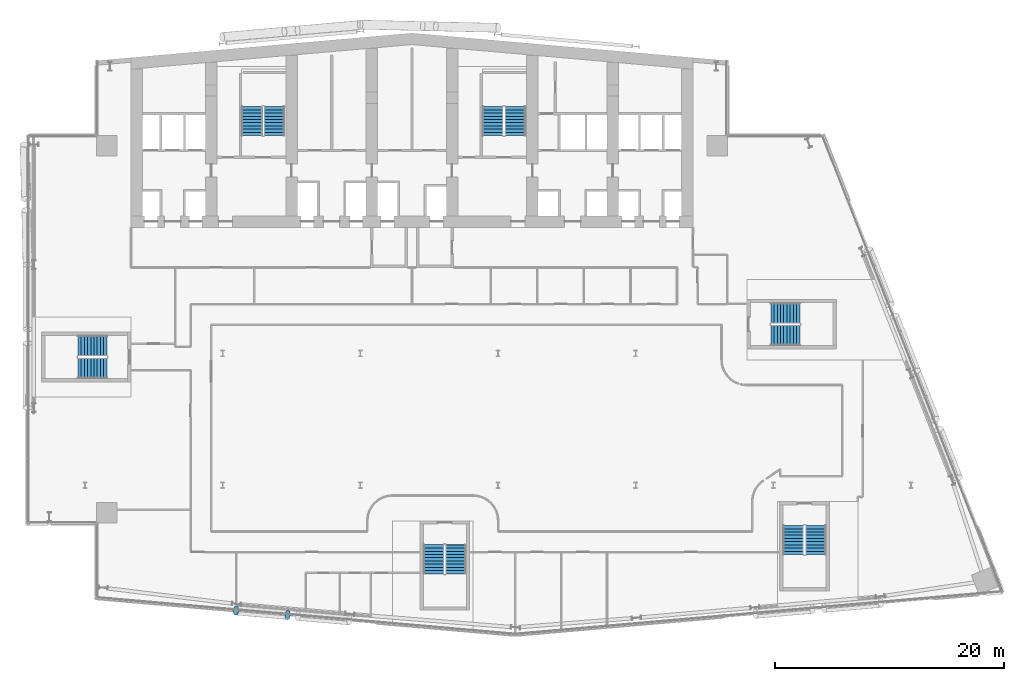
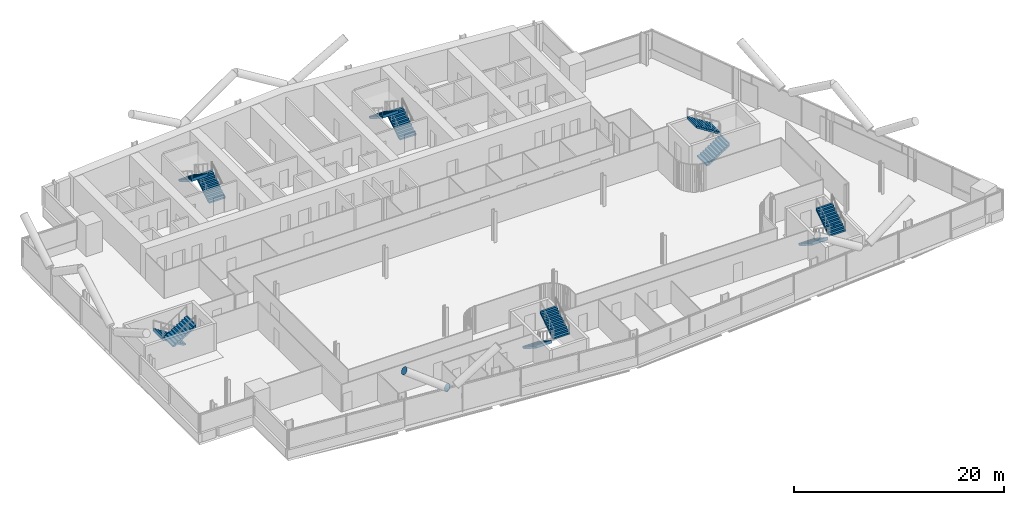
# One storey, part 24 of 31: 12 stair flights, 2 discrete accessories, 6 elements without a shape of their own.
"""IFC4 building model written with IfcOpenShell, lengths in metres."""

from ifc_helpers import new_model, si_unit, direction, frame, origin, origin_2d, place, context, subcontext, project, spatial, polyline, circle, outline, extrude, material, material_profile, profile_set, type_object, element, aggregate, save


model = new_model("IFC4")

# Units and contexts
model_context = context("Model", 3, precision=1e-05, world=origin(), true_north=direction((0.0, 1.0)))
body_context = subcontext(model_context, "Body", "Model", "MODEL_VIEW")
ifc_project = project(units=[si_unit("LENGTHUNIT", "METRE"), si_unit("AREAUNIT", "SQUARE_METRE"), si_unit("VOLUMEUNIT", "CUBIC_METRE"), si_unit("PLANEANGLEUNIT", "RADIAN"), si_unit("MASSUNIT", "GRAM", prefix="KILO")], contexts=[model_context])

# Site, building, storey
site_placement = place(None, origin())
site = spatial("IfcSite", under=ifc_project, at=site_placement, CompositionType="ELEMENT")
building_placement = place(site_placement, origin())
building = spatial("IfcBuilding", under=site, at=building_placement, Name="Wharfspan Tower", CompositionType="ELEMENT")
storey_placement = place(building_placement, frame((0.0, 0.0, 103.899902)))
storey = spatial("IfcBuildingStorey", under=building, at=storey_placement, Name="L23", CompositionType="ELEMENT", Elevation=103.899902)

# Stair, stair flights
ifc_material_1 = material(Name="Concrete C40/50", Category="concrete")
stair_type = type_object("IfcStairType", Name="Half-turn stair 20 risers 180 mm", PredefinedType="HALF_TURN_STAIR", material=ifc_material_1)
stair_1_placement = place(storey_placement, origin())
stair_1 = element("IfcStair", 1, at=stair_1_placement, inside=storey, type_object=stair_type, Name="L23 stair ST1", PredefinedType="HALF_TURN_STAIR")
stair_flight_type = type_object("IfcStairFlightType", Name="Stair flight 20 risers 180 mm", PredefinedType="STRAIGHT", material=ifc_material_1)
stair_flight_1_placement = place(storey_placement, frame((28.5, 42.0, 0.0), z_axis=(0.0, 0.0, 1.0), x_axis=(0.0, 1.0, 0.0)))
stair_flight_1 = element("IfcStairFlight", 2, at=stair_flight_1_placement, type_object=stair_flight_type, Name="ST1 flight 1", NumberOfRisers=10, NumberOfTreads=9, PredefinedType="STRAIGHT", RiserHeight=0.18, TreadLength=0.28, context=body_context, shape_type="SweptSolid", body=[
    extrude(outline(polyline([(-0.011963, 0.0), (-0.011963, 0.179932), (0.0, 0.179932), (0.280029, 0.179932), (0.280029, 0.360107), (0.560059, 0.360107), (0.560059, 0.540039), (0.840088, 0.540039), (0.840088, 0.719971), (1.120117, 0.719971), (1.120117, 0.899902), (1.399902, 0.899902), (1.399902, 1.080078), (1.679932, 1.080078), (1.679932, 1.26001), (1.959961, 1.26001), (1.959961, 1.439941), (2.23999, 1.439941), (2.23999, 1.620117), (2.52002, 1.620117), (2.531982, 1.800049), (2.531982, 1.441895), (0.2771, 0.0), (-0.011963, 0.0)])), frame((0.0, 0.899902, 0.0), z_axis=(0.0, -1.0, 0.0), x_axis=(1.0, 0.0, 0.0)), (0.0, 0.0, 1.0), 0.899414),
    extrude(outline(polyline([(-0.011963, 0.0), (-0.011963, 0.179932), (0.0, 0.179932), (0.280029, 0.179932), (0.280029, 0.360107), (0.560059, 0.360107), (0.560059, 0.540039), (0.840088, 0.540039), (0.840088, 0.719971), (1.120117, 0.719971), (1.120117, 0.899902), (1.399902, 0.899902), (1.399902, 1.080078), (1.679932, 1.080078), (1.679932, 1.26001), (1.959961, 1.26001), (1.959961, 1.439941), (2.23999, 1.439941), (2.23999, 1.620117), (2.52002, 1.620117), (2.531982, 1.800049), (2.531982, 1.441895), (0.2771, 0.0), (-0.011963, 0.0)])), frame((0.0, -0.000488, 0.0), z_axis=(0.0, -1.0, 0.0), x_axis=(1.0, 0.0, 0.0)), (0.0, 0.0, 1.0), 0.899414),
])
stair_flight_2_placement = place(storey_placement, frame((26.550049, 44.52002, 1.800049), z_axis=(0.0, 0.0, 1.0), x_axis=(0.0, -1.0, 0.0)))
stair_flight_2 = element("IfcStairFlight", 3, at=stair_flight_2_placement, type_object=stair_flight_type, Name="ST1 flight 2", NumberOfRisers=10, NumberOfTreads=9, PredefinedType="STRAIGHT", RiserHeight=0.18, TreadLength=0.28, context=body_context, shape_type="SweptSolid", body=[
    extrude(outline(polyline([(-0.011963, 0.0), (-0.011963, 0.179932), (0.0, 0.179932), (0.280029, 0.179932), (0.280029, 0.360107), (0.560059, 0.360107), (0.560059, 0.540039), (0.840088, 0.540039), (0.840088, 0.719971), (1.120117, 0.719971), (1.120117, 0.899902), (1.399902, 0.899902), (1.399902, 1.080078), (1.679932, 1.080078), (1.679932, 1.26001), (1.959961, 1.26001), (1.959961, 1.439941), (2.23999, 1.439941), (2.23999, 1.620117), (2.52002, 1.620117), (2.531982, 1.800049), (2.531982, 1.441895), (0.2771, 0.0), (-0.011963, 0.0)])), frame((0.0, 0.899902, 0.0), z_axis=(0.0, -1.0, 0.0), x_axis=(1.0, 0.0, 0.0)), (0.0, 0.0, 1.0), 0.899414),
    extrude(outline(polyline([(-0.011963, 0.0), (-0.011963, 0.179932), (0.0, 0.179932), (0.280029, 0.179932), (0.280029, 0.360107), (0.560059, 0.360107), (0.560059, 0.540039), (0.840088, 0.540039), (0.840088, 0.719971), (1.120117, 0.719971), (1.120117, 0.899902), (1.399902, 0.899902), (1.399902, 1.080078), (1.679932, 1.080078), (1.679932, 1.26001), (1.959961, 1.26001), (1.959961, 1.439941), (2.23999, 1.439941), (2.23999, 1.620117), (2.52002, 1.620117), (2.531982, 1.800049), (2.531982, 1.441895), (0.2771, 0.0), (-0.011963, 0.0)])), frame((0.0, -0.000488, 0.0), z_axis=(0.0, -1.0, 0.0), x_axis=(1.0, 0.0, 0.0)), (0.0, 0.0, 1.0), 0.899414),
])
aggregate(stair_1, [stair_flight_1, stair_flight_2])

stair_2_placement = place(storey_placement, origin())
stair_2 = element("IfcStair", 4, at=stair_2_placement, inside=storey, type_object=stair_type, Name="L23 stair ST2", PredefinedType="HALF_TURN_STAIR")
stair_flight_3_placement = place(storey_placement, frame((49.5, 42.0, 0.0), z_axis=(0.0, 0.0, 1.0), x_axis=(0.0, 1.0, 0.0)))
stair_flight_3 = element("IfcStairFlight", 5, at=stair_flight_3_placement, type_object=stair_flight_type, Name="ST2 flight 1", NumberOfRisers=10, NumberOfTreads=9, PredefinedType="STRAIGHT", RiserHeight=0.18, TreadLength=0.28, context=body_context, shape_type="SweptSolid", body=[
    extrude(outline(polyline([(-0.011963, 0.0), (-0.011963, 0.179932), (0.0, 0.179932), (0.280029, 0.179932), (0.280029, 0.360107), (0.560059, 0.360107), (0.560059, 0.540039), (0.840088, 0.540039), (0.840088, 0.719971), (1.120117, 0.719971), (1.120117, 0.899902), (1.399902, 0.899902), (1.399902, 1.080078), (1.679932, 1.080078), (1.679932, 1.26001), (1.959961, 1.26001), (1.959961, 1.439941), (2.23999, 1.439941), (2.23999, 1.620117), (2.52002, 1.620117), (2.531982, 1.800049), (2.531982, 1.441895), (0.2771, 0.0), (-0.011963, 0.0)])), frame((0.0, 0.899902, 0.0), z_axis=(0.0, -1.0, 0.0), x_axis=(1.0, 0.0, 0.0)), (0.0, 0.0, 1.0), 0.899414),
    extrude(outline(polyline([(-0.011963, 0.0), (-0.011963, 0.179932), (0.0, 0.179932), (0.280029, 0.179932), (0.280029, 0.360107), (0.560059, 0.360107), (0.560059, 0.540039), (0.840088, 0.540039), (0.840088, 0.719971), (1.120117, 0.719971), (1.120117, 0.899902), (1.399902, 0.899902), (1.399902, 1.080078), (1.679932, 1.080078), (1.679932, 1.26001), (1.959961, 1.26001), (1.959961, 1.439941), (2.23999, 1.439941), (2.23999, 1.620117), (2.52002, 1.620117), (2.531982, 1.800049), (2.531982, 1.441895), (0.2771, 0.0), (-0.011963, 0.0)])), frame((0.0, -0.000488, 0.0), z_axis=(0.0, -1.0, 0.0), x_axis=(1.0, 0.0, 0.0)), (0.0, 0.0, 1.0), 0.899414),
])
stair_flight_4_placement = place(storey_placement, frame((47.550049, 44.52002, 1.800049), z_axis=(0.0, 0.0, 1.0), x_axis=(0.0, -1.0, 0.0)))
stair_flight_4 = element("IfcStairFlight", 6, at=stair_flight_4_placement, type_object=stair_flight_type, Name="ST2 flight 2", NumberOfRisers=10, NumberOfTreads=9, PredefinedType="STRAIGHT", RiserHeight=0.18, TreadLength=0.28, context=body_context, shape_type="SweptSolid", body=[
    extrude(outline(polyline([(-0.011963, 0.0), (-0.011963, 0.179932), (0.0, 0.179932), (0.280029, 0.179932), (0.280029, 0.360107), (0.560059, 0.360107), (0.560059, 0.540039), (0.840088, 0.540039), (0.840088, 0.719971), (1.120117, 0.719971), (1.120117, 0.899902), (1.399902, 0.899902), (1.399902, 1.080078), (1.679932, 1.080078), (1.679932, 1.26001), (1.959961, 1.26001), (1.959961, 1.439941), (2.23999, 1.439941), (2.23999, 1.620117), (2.52002, 1.620117), (2.531982, 1.800049), (2.531982, 1.441895), (0.2771, 0.0), (-0.011963, 0.0)])), frame((0.0, 0.899902, 0.0), z_axis=(0.0, -1.0, 0.0), x_axis=(1.0, 0.0, 0.0)), (0.0, 0.0, 1.0), 0.899414),
    extrude(outline(polyline([(-0.011963, 0.0), (-0.011963, 0.179932), (0.0, 0.179932), (0.280029, 0.179932), (0.280029, 0.360107), (0.560059, 0.360107), (0.560059, 0.540039), (0.840088, 0.540039), (0.840088, 0.719971), (1.120117, 0.719971), (1.120117, 0.899902), (1.399902, 0.899902), (1.399902, 1.080078), (1.679932, 1.080078), (1.679932, 1.26001), (1.959961, 1.26001), (1.959961, 1.439941), (2.23999, 1.439941), (2.23999, 1.620117), (2.52002, 1.620117), (2.531982, 1.800049), (2.531982, 1.441895), (0.2771, 0.0), (-0.011963, 0.0)])), frame((0.0, -0.000488, 0.0), z_axis=(0.0, -1.0, 0.0), x_axis=(1.0, 0.0, 0.0)), (0.0, 0.0, 1.0), 0.899414),
])
aggregate(stair_2, [stair_flight_3, stair_flight_4])

stair_3_placement = place(storey_placement, origin())
stair_3 = element("IfcStair", 7, at=stair_3_placement, inside=storey, type_object=stair_type, Name="L23 stair ST3", PredefinedType="HALF_TURN_STAIR")
stair_flight_5_placement = place(storey_placement, frame((13.899902, 23.675049, 0.0), z_axis=(0.0, 0.0, 1.0), x_axis=(-1.0, 0.0, 0.0)))
stair_flight_5 = element("IfcStairFlight", 8, at=stair_flight_5_placement, type_object=stair_flight_type, Name="ST3 flight 1", NumberOfRisers=10, NumberOfTreads=9, PredefinedType="STRAIGHT", RiserHeight=0.18, TreadLength=0.28, context=body_context, shape_type="SweptSolid", body=[
    extrude(outline(polyline([(-0.011963, 0.0), (-0.011963, 0.179932), (0.0, 0.179932), (0.280029, 0.179932), (0.280029, 0.360107), (0.560059, 0.360107), (0.560059, 0.540039), (0.840088, 0.540039), (0.840088, 0.719971), (1.120117, 0.719971), (1.120117, 0.899902), (1.399902, 0.899902), (1.399902, 1.080078), (1.679932, 1.080078), (1.679932, 1.26001), (1.959961, 1.26001), (1.959961, 1.439941), (2.23999, 1.439941), (2.23999, 1.620117), (2.52002, 1.620117), (2.531982, 1.800049), (2.531982, 1.441895), (0.2771, 0.0), (-0.011963, 0.0)])), frame((0.0, 0.899902, 0.0), z_axis=(0.0, -1.0, 0.0), x_axis=(1.0, 0.0, 0.0)), (0.0, 0.0, 1.0), 0.899414),
    extrude(outline(polyline([(-0.011963, 0.0), (-0.011963, 0.179932), (0.0, 0.179932), (0.280029, 0.179932), (0.280029, 0.360107), (0.560059, 0.360107), (0.560059, 0.540039), (0.840088, 0.540039), (0.840088, 0.719971), (1.120117, 0.719971), (1.120117, 0.899902), (1.399902, 0.899902), (1.399902, 1.080078), (1.679932, 1.080078), (1.679932, 1.26001), (1.959961, 1.26001), (1.959961, 1.439941), (2.23999, 1.439941), (2.23999, 1.620117), (2.52002, 1.620117), (2.531982, 1.800049), (2.531982, 1.441895), (0.2771, 0.0), (-0.011963, 0.0)])), frame((0.0, -0.000488, 0.0), z_axis=(0.0, -1.0, 0.0), x_axis=(1.0, 0.0, 0.0)), (0.0, 0.0, 1.0), 0.899414),
])
stair_flight_6_placement = place(storey_placement, frame((11.379883, 21.725098, 1.800049), z_axis=(0.0, 0.0, 1.0), x_axis=(1.0, 0.0, 0.0)))
stair_flight_6 = element("IfcStairFlight", 9, at=stair_flight_6_placement, type_object=stair_flight_type, Name="ST3 flight 2", NumberOfRisers=10, NumberOfTreads=9, PredefinedType="STRAIGHT", RiserHeight=0.18, TreadLength=0.28, context=body_context, shape_type="SweptSolid", body=[
    extrude(outline(polyline([(-0.011963, 0.0), (-0.011963, 0.179932), (0.0, 0.179932), (0.280029, 0.179932), (0.280029, 0.360107), (0.560059, 0.360107), (0.560059, 0.540039), (0.840088, 0.540039), (0.840088, 0.719971), (1.120117, 0.719971), (1.120117, 0.899902), (1.399902, 0.899902), (1.399902, 1.080078), (1.679932, 1.080078), (1.679932, 1.26001), (1.959961, 1.26001), (1.959961, 1.439941), (2.23999, 1.439941), (2.23999, 1.620117), (2.52002, 1.620117), (2.531982, 1.800049), (2.531982, 1.441895), (0.2771, 0.0), (-0.011963, 0.0)])), frame((0.0, 0.899902, 0.0), z_axis=(0.0, -1.0, 0.0), x_axis=(1.0, 0.0, 0.0)), (0.0, 0.0, 1.0), 0.899414),
    extrude(outline(polyline([(-0.011963, 0.0), (-0.011963, 0.179932), (0.0, 0.179932), (0.280029, 0.179932), (0.280029, 0.360107), (0.560059, 0.360107), (0.560059, 0.540039), (0.840088, 0.540039), (0.840088, 0.719971), (1.120117, 0.719971), (1.120117, 0.899902), (1.399902, 0.899902), (1.399902, 1.080078), (1.679932, 1.080078), (1.679932, 1.26001), (1.959961, 1.26001), (1.959961, 1.439941), (2.23999, 1.439941), (2.23999, 1.620117), (2.52002, 1.620117), (2.531982, 1.800049), (2.531982, 1.441895), (0.2771, 0.0), (-0.011963, 0.0)])), frame((0.0, -0.000488, 0.0), z_axis=(0.0, -1.0, 0.0), x_axis=(1.0, 0.0, 0.0)), (0.0, 0.0, 1.0), 0.899414),
])
aggregate(stair_3, [stair_flight_5, stair_flight_6])

stair_4_placement = place(storey_placement, origin())
stair_4 = element("IfcStair", 10, at=stair_4_placement, inside=storey, type_object=stair_type, Name="L23 stair ST4", PredefinedType="HALF_TURN_STAIR")
stair_flight_7_placement = place(storey_placement, frame((42.385254, 6.316895, 0.0), z_axis=(0.0, 0.0, 1.0), x_axis=(0.0, -1.0, 0.0)))
stair_flight_7 = element("IfcStairFlight", 11, at=stair_flight_7_placement, type_object=stair_flight_type, Name="ST4 flight 1", NumberOfRisers=10, NumberOfTreads=9, PredefinedType="STRAIGHT", RiserHeight=0.18, TreadLength=0.28, context=body_context, shape_type="SweptSolid", body=[
    extrude(outline(polyline([(-0.011963, 0.0), (-0.011963, 0.179932), (0.0, 0.179932), (0.280029, 0.179932), (0.280029, 0.360107), (0.560059, 0.360107), (0.560059, 0.540039), (0.840088, 0.540039), (0.840088, 0.719971), (1.120117, 0.719971), (1.120117, 0.899902), (1.399902, 0.899902), (1.399902, 1.080078), (1.679932, 1.080078), (1.679932, 1.26001), (1.959961, 1.26001), (1.959961, 1.439941), (2.23999, 1.439941), (2.23999, 1.620117), (2.52002, 1.620117), (2.531982, 1.800049), (2.531982, 1.441895), (0.2771, 0.0), (-0.011963, 0.0)])), frame((0.0, 0.899902, 0.0), z_axis=(0.0, -1.0, 0.0), x_axis=(1.0, 0.0, 0.0)), (0.0, 0.0, 1.0), 0.899414),
    extrude(outline(polyline([(-0.011963, 0.0), (-0.011963, 0.179932), (0.0, 0.179932), (0.280029, 0.179932), (0.280029, 0.360107), (0.560059, 0.360107), (0.560059, 0.540039), (0.840088, 0.540039), (0.840088, 0.719971), (1.120117, 0.719971), (1.120117, 0.899902), (1.399902, 0.899902), (1.399902, 1.080078), (1.679932, 1.080078), (1.679932, 1.26001), (1.959961, 1.26001), (1.959961, 1.439941), (2.23999, 1.439941), (2.23999, 1.620117), (2.52002, 1.620117), (2.531982, 1.800049), (2.531982, 1.441895), (0.2771, 0.0), (-0.011963, 0.0)])), frame((0.0, -0.000488, 0.0), z_axis=(0.0, -1.0, 0.0), x_axis=(1.0, 0.0, 0.0)), (0.0, 0.0, 1.0), 0.899414),
])
stair_flight_8_placement = place(storey_placement, frame((44.335205, 3.796875, 1.800049), z_axis=(0.0, 0.0, 1.0), x_axis=(0.0, 1.0, 0.0)))
stair_flight_8 = element("IfcStairFlight", 12, at=stair_flight_8_placement, type_object=stair_flight_type, Name="ST4 flight 2", NumberOfRisers=10, NumberOfTreads=9, PredefinedType="STRAIGHT", RiserHeight=0.18, TreadLength=0.28, context=body_context, shape_type="SweptSolid", body=[
    extrude(outline(polyline([(-0.011963, 0.0), (-0.011963, 0.179932), (0.0, 0.179932), (0.280029, 0.179932), (0.280029, 0.360107), (0.560059, 0.360107), (0.560059, 0.540039), (0.840088, 0.540039), (0.840088, 0.719971), (1.120117, 0.719971), (1.120117, 0.899902), (1.399902, 0.899902), (1.399902, 1.080078), (1.679932, 1.080078), (1.679932, 1.26001), (1.959961, 1.26001), (1.959961, 1.439941), (2.23999, 1.439941), (2.23999, 1.620117), (2.52002, 1.620117), (2.531982, 1.800049), (2.531982, 1.441895), (0.2771, 0.0), (-0.011963, 0.0)])), frame((0.0, 0.899902, 0.0), z_axis=(0.0, -1.0, 0.0), x_axis=(1.0, 0.0, 0.0)), (0.0, 0.0, 1.0), 0.899414),
    extrude(outline(polyline([(-0.011963, 0.0), (-0.011963, 0.179932), (0.0, 0.179932), (0.280029, 0.179932), (0.280029, 0.360107), (0.560059, 0.360107), (0.560059, 0.540039), (0.840088, 0.540039), (0.840088, 0.719971), (1.120117, 0.719971), (1.120117, 0.899902), (1.399902, 0.899902), (1.399902, 1.080078), (1.679932, 1.080078), (1.679932, 1.26001), (1.959961, 1.26001), (1.959961, 1.439941), (2.23999, 1.439941), (2.23999, 1.620117), (2.52002, 1.620117), (2.531982, 1.800049), (2.531982, 1.441895), (0.2771, 0.0), (-0.011963, 0.0)])), frame((0.0, -0.000488, 0.0), z_axis=(0.0, -1.0, 0.0), x_axis=(1.0, 0.0, 0.0)), (0.0, 0.0, 1.0), 0.899414),
])
aggregate(stair_4, [stair_flight_7, stair_flight_8])

stair_5_placement = place(storey_placement, origin())
stair_5 = element("IfcStair", 13, at=stair_5_placement, inside=storey, type_object=stair_type, Name="L23 stair ST5", PredefinedType="HALF_TURN_STAIR")
stair_flight_9_placement = place(storey_placement, frame((73.740967, 7.994629, 0.0), z_axis=(0.0, 0.0, 1.0), x_axis=(0.0, -1.0, 0.0)))
stair_flight_9 = element("IfcStairFlight", 14, at=stair_flight_9_placement, type_object=stair_flight_type, Name="ST5 flight 1", NumberOfRisers=10, NumberOfTreads=9, PredefinedType="STRAIGHT", RiserHeight=0.18, TreadLength=0.28, context=body_context, shape_type="SweptSolid", body=[
    extrude(outline(polyline([(-0.011963, 0.0), (-0.011963, 0.179932), (0.0, 0.179932), (0.280029, 0.179932), (0.280029, 0.360107), (0.560059, 0.360107), (0.560059, 0.540039), (0.840088, 0.540039), (0.840088, 0.719971), (1.120117, 0.719971), (1.120117, 0.899902), (1.399902, 0.899902), (1.399902, 1.080078), (1.679932, 1.080078), (1.679932, 1.26001), (1.959961, 1.26001), (1.959961, 1.439941), (2.23999, 1.439941), (2.23999, 1.620117), (2.52002, 1.620117), (2.531982, 1.800049), (2.531982, 1.441895), (0.2771, 0.0), (-0.011963, 0.0)])), frame((0.0, 0.899902, 0.0), z_axis=(0.0, -1.0, 0.0), x_axis=(1.0, 0.0, 0.0)), (0.0, 0.0, 1.0), 0.899414),
    extrude(outline(polyline([(-0.011963, 0.0), (-0.011963, 0.179932), (0.0, 0.179932), (0.280029, 0.179932), (0.280029, 0.360107), (0.560059, 0.360107), (0.560059, 0.540039), (0.840088, 0.540039), (0.840088, 0.719971), (1.120117, 0.719971), (1.120117, 0.899902), (1.399902, 0.899902), (1.399902, 1.080078), (1.679932, 1.080078), (1.679932, 1.26001), (1.959961, 1.26001), (1.959961, 1.439941), (2.23999, 1.439941), (2.23999, 1.620117), (2.52002, 1.620117), (2.531982, 1.800049), (2.531982, 1.441895), (0.2771, 0.0), (-0.011963, 0.0)])), frame((0.0, -0.000488, 0.0), z_axis=(0.0, -1.0, 0.0), x_axis=(1.0, 0.0, 0.0)), (0.0, 0.0, 1.0), 0.899414),
])
stair_flight_10_placement = place(storey_placement, frame((75.690918, 5.474609, 1.800049), z_axis=(0.0, 0.0, 1.0), x_axis=(0.0, 1.0, 0.0)))
stair_flight_10 = element("IfcStairFlight", 15, at=stair_flight_10_placement, type_object=stair_flight_type, Name="ST5 flight 2", NumberOfRisers=10, NumberOfTreads=9, PredefinedType="STRAIGHT", RiserHeight=0.18, TreadLength=0.28, context=body_context, shape_type="SweptSolid", body=[
    extrude(outline(polyline([(-0.011963, 0.0), (-0.011963, 0.179932), (0.0, 0.179932), (0.280029, 0.179932), (0.280029, 0.360107), (0.560059, 0.360107), (0.560059, 0.540039), (0.840088, 0.540039), (0.840088, 0.719971), (1.120117, 0.719971), (1.120117, 0.899902), (1.399902, 0.899902), (1.399902, 1.080078), (1.679932, 1.080078), (1.679932, 1.26001), (1.959961, 1.26001), (1.959961, 1.439941), (2.23999, 1.439941), (2.23999, 1.620117), (2.52002, 1.620117), (2.531982, 1.800049), (2.531982, 1.441895), (0.2771, 0.0), (-0.011963, 0.0)])), frame((0.0, 0.899902, 0.0), z_axis=(0.0, -1.0, 0.0), x_axis=(1.0, 0.0, 0.0)), (0.0, 0.0, 1.0), 0.899414),
    extrude(outline(polyline([(-0.011963, 0.0), (-0.011963, 0.179932), (0.0, 0.179932), (0.280029, 0.179932), (0.280029, 0.360107), (0.560059, 0.360107), (0.560059, 0.540039), (0.840088, 0.540039), (0.840088, 0.719971), (1.120117, 0.719971), (1.120117, 0.899902), (1.399902, 0.899902), (1.399902, 1.080078), (1.679932, 1.080078), (1.679932, 1.26001), (1.959961, 1.26001), (1.959961, 1.439941), (2.23999, 1.439941), (2.23999, 1.620117), (2.52002, 1.620117), (2.531982, 1.800049), (2.531982, 1.441895), (0.2771, 0.0), (-0.011963, 0.0)])), frame((0.0, -0.000488, 0.0), z_axis=(0.0, -1.0, 0.0), x_axis=(1.0, 0.0, 0.0)), (0.0, 0.0, 1.0), 0.899414),
])
aggregate(stair_5, [stair_flight_9, stair_flight_10])

stair_6_placement = place(storey_placement, origin())
stair_6 = element("IfcStair", 16, at=stair_6_placement, inside=storey, type_object=stair_type, Name="L23 stair ST6", PredefinedType="HALF_TURN_STAIR")
stair_flight_11_placement = place(storey_placement, frame((71.790283, 24.574951, 0.0), z_axis=(0.0, 0.0, 1.0), x_axis=(1.0, 0.0, 0.0)))
stair_flight_11 = element("IfcStairFlight", 17, at=stair_flight_11_placement, type_object=stair_flight_type, Name="ST6 flight 1", NumberOfRisers=10, NumberOfTreads=9, PredefinedType="STRAIGHT", RiserHeight=0.18, TreadLength=0.28, context=body_context, shape_type="SweptSolid", body=[
    extrude(outline(polyline([(-0.011963, 0.0), (-0.011963, 0.179932), (0.0, 0.179932), (0.280029, 0.179932), (0.280029, 0.360107), (0.560059, 0.360107), (0.560059, 0.540039), (0.840088, 0.540039), (0.840088, 0.719971), (1.120117, 0.719971), (1.120117, 0.899902), (1.399902, 0.899902), (1.399902, 1.080078), (1.679932, 1.080078), (1.679932, 1.26001), (1.959961, 1.26001), (1.959961, 1.439941), (2.23999, 1.439941), (2.23999, 1.620117), (2.52002, 1.620117), (2.531982, 1.800049), (2.531982, 1.441895), (0.2771, 0.0), (-0.011963, 0.0)])), frame((0.0, 0.899902, 0.0), z_axis=(0.0, -1.0, 0.0), x_axis=(1.0, 0.0, 0.0)), (0.0, 0.0, 1.0), 0.899414),
    extrude(outline(polyline([(-0.011963, 0.0), (-0.011963, 0.179932), (0.0, 0.179932), (0.280029, 0.179932), (0.280029, 0.360107), (0.560059, 0.360107), (0.560059, 0.540039), (0.840088, 0.540039), (0.840088, 0.719971), (1.120117, 0.719971), (1.120117, 0.899902), (1.399902, 0.899902), (1.399902, 1.080078), (1.679932, 1.080078), (1.679932, 1.26001), (1.959961, 1.26001), (1.959961, 1.439941), (2.23999, 1.439941), (2.23999, 1.620117), (2.52002, 1.620117), (2.531982, 1.800049), (2.531982, 1.441895), (0.2771, 0.0), (-0.011963, 0.0)])), frame((0.0, -0.000488, 0.0), z_axis=(0.0, -1.0, 0.0), x_axis=(1.0, 0.0, 0.0)), (0.0, 0.0, 1.0), 0.899414),
])
stair_flight_12_placement = place(storey_placement, frame((74.310303, 26.524902, 1.800049), z_axis=(0.0, 0.0, 1.0), x_axis=(-1.0, 0.0, 0.0)))
stair_flight_12 = element("IfcStairFlight", 18, at=stair_flight_12_placement, type_object=stair_flight_type, Name="ST6 flight 2", NumberOfRisers=10, NumberOfTreads=9, PredefinedType="STRAIGHT", RiserHeight=0.18, TreadLength=0.28, context=body_context, shape_type="SweptSolid", body=[
    extrude(outline(polyline([(-0.011963, 0.0), (-0.011963, 0.179932), (0.0, 0.179932), (0.280029, 0.179932), (0.280029, 0.360107), (0.560059, 0.360107), (0.560059, 0.540039), (0.840088, 0.540039), (0.840088, 0.719971), (1.120117, 0.719971), (1.120117, 0.899902), (1.399902, 0.899902), (1.399902, 1.080078), (1.679932, 1.080078), (1.679932, 1.26001), (1.959961, 1.26001), (1.959961, 1.439941), (2.23999, 1.439941), (2.23999, 1.620117), (2.52002, 1.620117), (2.531982, 1.800049), (2.531982, 1.441895), (0.2771, 0.0), (-0.011963, 0.0)])), frame((0.0, 0.899902, 0.0), z_axis=(0.0, -1.0, 0.0), x_axis=(1.0, 0.0, 0.0)), (0.0, 0.0, 1.0), 0.899414),
    extrude(outline(polyline([(-0.011963, 0.0), (-0.011963, 0.179932), (0.0, 0.179932), (0.280029, 0.179932), (0.280029, 0.360107), (0.560059, 0.360107), (0.560059, 0.540039), (0.840088, 0.540039), (0.840088, 0.719971), (1.120117, 0.719971), (1.120117, 0.899902), (1.399902, 0.899902), (1.399902, 1.080078), (1.679932, 1.080078), (1.679932, 1.26001), (1.959961, 1.26001), (1.959961, 1.439941), (2.23999, 1.439941), (2.23999, 1.620117), (2.52002, 1.620117), (2.531982, 1.800049), (2.531982, 1.441895), (0.2771, 0.0), (-0.011963, 0.0)])), frame((0.0, -0.000488, 0.0), z_axis=(0.0, -1.0, 0.0), x_axis=(1.0, 0.0, 0.0)), (0.0, 0.0, 1.0), 0.899414),
])
aggregate(stair_6, [stair_flight_11, stair_flight_12])

# Discrete accessories
ifc_material_2 = material(Name="Steel S460NH", Category="steel")
ifc_material_profile = material_profile(ifc_material_2, circle(Radius=0.406494, at=origin_2d()))
ifc_profile_set = profile_set([ifc_material_profile], Name="Steel S460NH")
discrete_accessory_type = type_object("IfcDiscreteAccessoryType", Name="End plate CHS 813x40", PredefinedType="BRACKET", material=ifc_profile_set)
for number, where, z_axis, x_axis, name in (
    (19, (29.662842, 0.202148, 3.221191), (-0.806559, 0.073324, 0.586588), (-0.090536, -0.99589, 0.0), "End plate CHS 813x40"),
    (20, (25.165283, 0.595703, 6.5), (-0.806559, 0.073324, 0.586588), (-0.090536, -0.99589, 0.0), "End plate CHS 813x40"),
):
    element("IfcDiscreteAccessory", number, at=place(storey_placement, frame(where, z_axis=z_axis, x_axis=x_axis)), inside=storey, type_object=discrete_accessory_type, Name=name, PredefinedType="BRACKET", context=body_context, shape_type="SweptSolid", body=[
        extrude(circle(Radius=0.406494, at=origin_2d()), origin(), (0.0, 0.0, 1.0), 0.01001),
    ])

save(model, "model.ifc")
